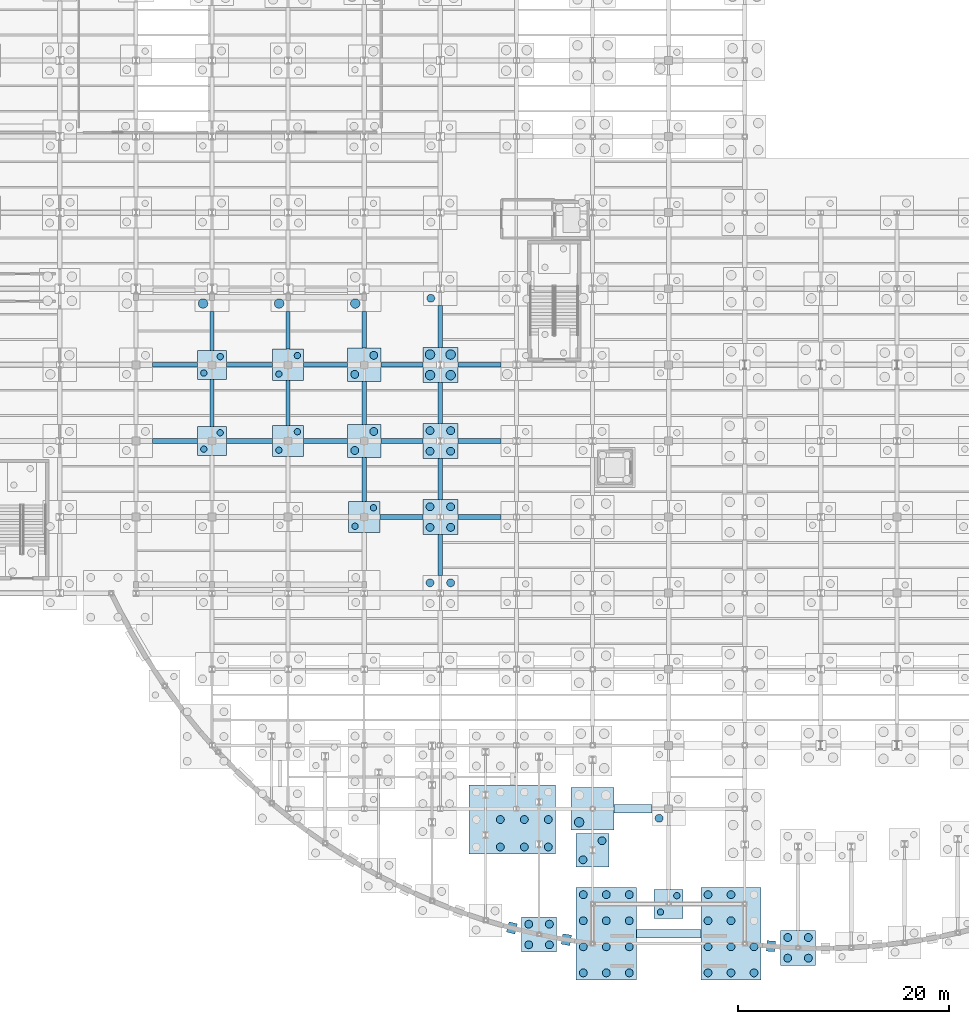
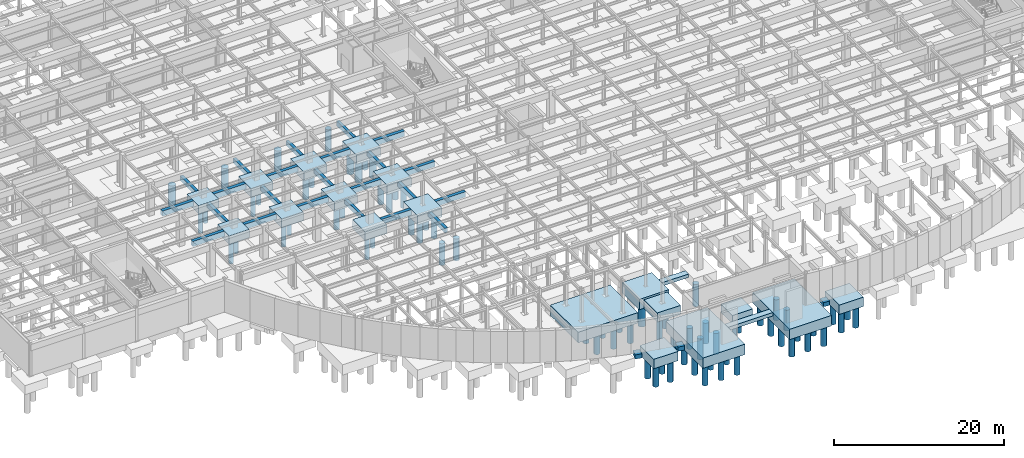
# One storey, part 3 of 64: 74 piles, 46 footings.
"""IFC4 building model written with IfcOpenShell, lengths in metres."""

from ifc_helpers import new_model, si_unit, direction, frame, origin, origin_2d, place, context, subcontext, project, spatial, rectangle, circle, extrude, material, material_profile, profile_set, type_object, element, save


model = new_model("IFC4")

# Units and contexts
model_context = context("Model", 3, precision=1e-05, world=origin(), true_north=direction((0.0, 1.0)))
body_context = subcontext(model_context, "Body", "Model", "MODEL_VIEW")
ifc_project = project(units=[si_unit("LENGTHUNIT", "METRE"), si_unit("AREAUNIT", "SQUARE_METRE"), si_unit("VOLUMEUNIT", "CUBIC_METRE"), si_unit("PLANEANGLEUNIT", "RADIAN"), si_unit("MASSUNIT", "GRAM", prefix="KILO")], contexts=[model_context])

# Site, building, storey
site_placement = place(None, origin())
site = spatial("IfcSite", under=ifc_project, at=site_placement, CompositionType="ELEMENT")
building_placement = place(site_placement, origin())
building = spatial("IfcBuilding", under=site, at=building_placement, Name="Solvadek Multi-Sports Hall", CompositionType="ELEMENT")
storey_placement = place(building_placement, frame((0.0, 0.0, -4.800048828125)))
storey = spatial("IfcBuildingStorey", under=building, at=storey_placement, Name="B1", CompositionType="ELEMENT", Elevation=-4.800048828125)

# Footings
ifc_material_1 = material(Name="Concrete M40", Category="concrete")
footing_type_1 = type_object("IfcFootingType", Name="STR-CAP-275X275X120", PredefinedType="PILE_CAP", material=ifc_material_1)
for number, where, z_axis, x_axis, name in (
    (1, (79.199951171875, -9.0, -1.19970703125), (0.0, 0.0, 1.0), (1.0, 0.0, 0.0), "Pile Cap PC-02 #10"),
    (2, (36.0, 34.800048828125, -1.19970703125), (0.0, 0.0, 1.0), (1.0, 0.0, 0.0), "Pile Cap PC-02 #115"),
    (3, (36.0, 42.0, -1.19970703125), (0.0, 0.0, 1.0), (1.0, 0.0, 0.0), "Pile Cap PC-02 #145"),
):
    element("IfcFooting", number, at=place(storey_placement, frame(where, z_axis=z_axis, x_axis=x_axis)), inside=storey, type_object=footing_type_1, Name=name, PredefinedType="PILE_CAP", context=body_context, shape_type="SweptSolid", body=[
        extrude(rectangle(XDim=2.75, YDim=2.75, at=origin_2d()), origin(), (0.0, 0.0, 1.0), 1.199951171875),
    ])
footing_type_2 = type_object("IfcFootingType", Name="STR-CAP-295X295X125", PredefinedType="PILE_CAP", material=ifc_material_1)
for number, where, z_axis, x_axis, name in (
    (4, (50.39990234375, 27.60009765625, -1.25), (0.0, 0.0, 1.0), (1.0, 0.0, 0.0), "Pile Cap PC-14 #95"),
    (5, (43.199951171875, 34.800048828125, -1.25), (0.0, 0.0, 1.0), (1.0, 0.0, 0.0), "Pile Cap PC-14 #116"),
    (6, (43.199951171875, 42.0, -1.25), (0.0, 0.0, 1.0), (1.0, 0.0, 0.0), "Pile Cap PC-14 #146"),
):
    element("IfcFooting", number, at=place(storey_placement, frame(where, z_axis=z_axis, x_axis=x_axis)), inside=storey, type_object=footing_type_2, Name=name, PredefinedType="PILE_CAP", context=body_context, shape_type="SweptSolid", body=[
        extrude(rectangle(XDim=2.949951171875, YDim=2.949951171875, at=origin_2d()), origin(), (0.0, 0.0, 1.0), 1.25),
    ])
footing_type_3 = type_object("IfcFootingType", Name="STR-CAP-315X315X130", PredefinedType="PILE_CAP", material=ifc_material_1)
for number, where, z_axis, x_axis, name in (
    (7, (72.0, -3.928955078125, -1.2998046875), (0.0, 0.0, 1.0), (1.0, 0.0, 0.0), "Pile Cap PC-15 #14"),
    (8, (50.39990234375, 34.800048828125, -1.2998046875), (0.0, 0.0, 1.0), (1.0, 0.0, 0.0), "Pile Cap PC-15 #117"),
    (9, (50.39990234375, 42.0, -1.2998046875), (0.0, 0.0, 1.0), (1.0, 0.0, 0.0), "Pile Cap PC-15 #147"),
):
    element("IfcFooting", number, at=place(storey_placement, frame(where, z_axis=z_axis, x_axis=x_axis)), inside=storey, type_object=footing_type_3, Name=name, PredefinedType="PILE_CAP", context=body_context, shape_type="SweptSolid", body=[
        extrude(rectangle(XDim=3.14990234375, YDim=3.14990234375, at=origin_2d()), origin(), (0.0, 0.0, 1.0), 1.300048828125),
    ])
footing_type_4 = type_object("IfcFootingType", Name="STR-CAP-330X330X135", PredefinedType="PILE_CAP", material=ifc_material_1)
for number, where, z_axis, x_axis, name in (
    (10, (91.43994140625, -13.159912109375, -1.35009765625), (0.0, 0.0, 1.0), (1.0, 0.0, 0.0), "Pile Cap PC-04 #3"),
    (11, (66.939453125, -11.893798828125, -1.35009765625), (0.0, 0.0, 1.0), (1.0, 0.0, 0.0), "Pile Cap PC-04 #6"),
    (12, (57.60009765625, 27.60009765625, -1.35009765625), (0.0, 0.0, 1.0), (1.0, 0.0, 0.0), "Pile Cap PC-04 #90"),
    (13, (57.60009765625, 34.800048828125, -1.35009765625), (0.0, 0.0, 1.0), (1.0, 0.0, 0.0), "Pile Cap PC-04 #111"),
    (14, (57.60009765625, 42.0, -1.35009765625), (0.0, 0.0, 1.0), (1.0, 0.0, 0.0), "Pile Cap PC-04 #141"),
):
    element("IfcFooting", number, at=place(storey_placement, frame(where, z_axis=z_axis, x_axis=x_axis)), inside=storey, type_object=footing_type_4, Name=name, PredefinedType="PILE_CAP", context=body_context, shape_type="SweptSolid", body=[
        extrude(rectangle(XDim=3.300048828125, YDim=3.300048828125, at=origin_2d()), origin(), (0.0, 0.0, 1.0), 1.35009765625),
    ])
footing_type_5 = type_object("IfcFootingType", Name="STR-CAP-405X405X150", PredefinedType="PILE_CAP", material=ifc_material_1)
footing_1_placement = place(storey_placement, frame((72.0, 0.0, -1.5), z_axis=(0.0, 0.0, 1.0), x_axis=(1.0, 0.0, 0.0)))
element("IfcFooting", 15, at=footing_1_placement, inside=storey, type_object=footing_type_5, Name="Pile Cap PC-17 #26", PredefinedType="PILE_CAP", context=body_context, shape_type="SweptSolid", body=[
    extrude(rectangle(XDim=4.050048828125, YDim=4.050048828125, at=origin_2d()), origin(), (0.0, 0.0, 1.0), 1.5),
])
footing_type_6 = type_object("IfcFootingType", Name="STR-CAP-CMB-816X653", PredefinedType="PILE_CAP", material=ifc_material_1)
footing_2_placement = place(storey_placement, frame((64.4091796875, -1.021728515625, -1.5), z_axis=(0.0, 0.0, 1.0), x_axis=(1.0, 0.0, 0.0)))
element("IfcFooting", 16, at=footing_2_placement, inside=storey, type_object=footing_type_6, Name="Pile Cap PC-R18 #18", PredefinedType="PILE_CAP", context=body_context, shape_type="SweptSolid", body=[
    extrude(rectangle(XDim=8.159912109375, YDim=6.530029296875, at=origin_2d()), origin(), (0.0, 0.0, 1.0), 1.5),
])
footing_type_7 = type_object("IfcFootingType", Name="STR-CAP-CMB-875X570", PredefinedType="PILE_CAP", material=ifc_material_1)
for number, where, z_axis, x_axis, name in (
    (17, (73.300048828125, -11.824951171875, -1.5), (0.0, 0.0, 1.0), (0.0, 1.0, 0.0), "Pile Cap PC-R01 #1"),
    (18, (85.10009765625, -11.824951171875, -1.5), (0.0, 0.0, 1.0), (0.0, 1.0, 0.0), "Pile Cap PC-R01 #2"),
):
    element("IfcFooting", number, at=place(storey_placement, frame(where, z_axis=z_axis, x_axis=x_axis)), inside=storey, type_object=footing_type_7, Name=name, PredefinedType="PILE_CAP", context=body_context, shape_type="SweptSolid", body=[
        extrude(rectangle(XDim=8.75, YDim=5.699951171875, at=origin_2d()), origin(), (0.0, 0.0, 1.0), 1.5),
    ])
footing_type_8 = type_object("IfcFootingType", Name="STR-FTB-400X650", PredefinedType="FOOTING_BEAM", material=ifc_material_1)
footing_3_placement = place(storey_placement, frame((36.0, 38.39990234375, -0.64990234375), z_axis=(0.0, 0.0, 1.0), x_axis=(0.0, 1.0, 0.0)))
element("IfcFooting", 19, at=footing_3_placement, inside=storey, type_object=footing_type_8, Name="Foundation Beam FB-01 #264", PredefinedType="FOOTING_BEAM", context=body_context, shape_type="SweptSolid", body=[
    extrude(rectangle(XDim=4.449951171875, YDim=0.39990234375, at=origin_2d()), origin(), (0.0, 0.0, 1.0), 0.64990234375),
])
footing_4_placement = place(storey_placement, frame((36.0, 45.21240234375, -0.64990234375), z_axis=(0.0, 0.0, 1.0), x_axis=(0.0, 1.0, 0.0)))
element("IfcFooting", 20, at=footing_4_placement, inside=storey, type_object=footing_type_8, Name="Foundation Beam FB-01 #265", PredefinedType="FOOTING_BEAM", context=body_context, shape_type="SweptSolid", body=[
    extrude(rectangle(XDim=3.675048828125, YDim=0.39990234375, at=origin_2d()), origin(), (0.0, 0.0, 1.0), 0.64990234375),
])
footing_5_placement = place(storey_placement, frame((43.199951171875, 38.39990234375, -0.64990234375), z_axis=(0.0, 0.0, 1.0), x_axis=(0.0, 1.0, 0.0)))
element("IfcFooting", 21, at=footing_5_placement, inside=storey, type_object=footing_type_8, Name="Foundation Beam FB-01 #278", PredefinedType="FOOTING_BEAM", context=body_context, shape_type="SweptSolid", body=[
    extrude(rectangle(XDim=4.25, YDim=0.39990234375, at=origin_2d()), origin(), (0.0, 0.0, 1.0), 0.64990234375),
])
footing_6_placement = place(storey_placement, frame((43.199951171875, 45.262451171875, -0.64990234375), z_axis=(0.0, 0.0, 1.0), x_axis=(0.0, 1.0, 0.0)))
element("IfcFooting", 22, at=footing_6_placement, inside=storey, type_object=footing_type_8, Name="Foundation Beam FB-01 #279", PredefinedType="FOOTING_BEAM", context=body_context, shape_type="SweptSolid", body=[
    extrude(rectangle(XDim=3.574951171875, YDim=0.39990234375, at=origin_2d()), origin(), (0.0, 0.0, 1.0), 0.64990234375),
])
footing_7_placement = place(storey_placement, frame((50.39990234375, 31.14990234375, -0.64990234375), z_axis=(0.0, 0.0, 1.0), x_axis=(0.0, 1.0, 0.0)))
element("IfcFooting", 23, at=footing_7_placement, inside=storey, type_object=footing_type_8, Name="Foundation Beam FB-01 #291", PredefinedType="FOOTING_BEAM", context=body_context, shape_type="SweptSolid", body=[
    extrude(rectangle(XDim=4.14990234375, YDim=0.39990234375, at=origin_2d()), origin(), (0.0, 0.0, 1.0), 0.64990234375),
])
footing_8_placement = place(storey_placement, frame((50.39990234375, 38.39990234375, -0.64990234375), z_axis=(0.0, 0.0, 1.0), x_axis=(0.0, 1.0, 0.0)))
element("IfcFooting", 24, at=footing_8_placement, inside=storey, type_object=footing_type_8, Name="Foundation Beam FB-01 #292", PredefinedType="FOOTING_BEAM", context=body_context, shape_type="SweptSolid", body=[
    extrude(rectangle(XDim=4.050048828125, YDim=0.39990234375, at=origin_2d()), origin(), (0.0, 0.0, 1.0), 0.64990234375),
])
footing_9_placement = place(storey_placement, frame((50.39990234375, 45.3125, -0.64990234375), z_axis=(0.0, 0.0, 1.0), x_axis=(0.0, 1.0, 0.0)))
element("IfcFooting", 25, at=footing_9_placement, inside=storey, type_object=footing_type_8, Name="Foundation Beam FB-01 #293", PredefinedType="FOOTING_BEAM", context=body_context, shape_type="SweptSolid", body=[
    extrude(rectangle(XDim=3.47509765625, YDim=0.39990234375, at=origin_2d()), origin(), (0.0, 0.0, 1.0), 0.64990234375),
])
for number, where, z_axis, x_axis, name in (
    (26, (57.60009765625, 24.0, -0.64990234375), (0.0, 0.0, 1.0), (0.0, 1.0, 0.0), "Foundation Beam FB-01 #303"),
    (27, (57.60009765625, 31.199951171875, -0.64990234375), (0.0, 0.0, 1.0), (0.0, 1.0, 0.0), "Foundation Beam FB-01 #304"),
    (28, (57.60009765625, 38.39990234375, -0.64990234375), (0.0, 0.0, 1.0), (0.0, 1.0, 0.0), "Foundation Beam FB-01 #305"),
):
    element("IfcFooting", number, at=place(storey_placement, frame(where, z_axis=z_axis, x_axis=x_axis)), inside=storey, type_object=footing_type_8, Name=name, PredefinedType="FOOTING_BEAM", context=body_context, shape_type="SweptSolid", body=[
        extrude(rectangle(XDim=3.89990234375, YDim=0.39990234375, at=origin_2d()), origin(), (0.0, 0.0, 1.0), 0.64990234375),
    ])
footing_10_placement = place(storey_placement, frame((57.60009765625, 45.637451171875, -0.64990234375), z_axis=(0.0, 0.0, 1.0), x_axis=(0.0, 1.0, 0.0)))
element("IfcFooting", 29, at=footing_10_placement, inside=storey, type_object=footing_type_8, Name="Foundation Beam FB-01 #306", PredefinedType="FOOTING_BEAM", context=body_context, shape_type="SweptSolid", body=[
    extrude(rectangle(XDim=3.97509765625, YDim=0.39990234375, at=origin_2d()), origin(), (0.0, 0.0, 1.0), 0.64990234375),
])
footing_type_9 = type_object("IfcFootingType", Name="STR-FTB-450X750", PredefinedType="FOOTING_BEAM", material=ifc_material_1)
for number, where, z_axis, x_axis, name in (
    (30, (53.91259765625, 27.60009765625, -0.75), (0.0, 0.0, 1.0), (1.0, 0.0, 0.0), "Foundation Beam FB-02 #46"),
    (31, (61.28759765625, 27.60009765625, -0.75), (0.0, 0.0, 1.0), (1.0, 0.0, 0.0), "Foundation Beam FB-02 #47"),
):
    element("IfcFooting", number, at=place(storey_placement, frame(where, z_axis=z_axis, x_axis=x_axis)), inside=storey, type_object=footing_type_9, Name=name, PredefinedType="FOOTING_BEAM", context=body_context, shape_type="SweptSolid", body=[
        extrude(rectangle(XDim=4.074951171875, YDim=0.449951171875, at=origin_2d()), origin(), (0.0, 0.0, 1.0), 0.75),
    ])
footing_11_placement = place(storey_placement, frame((32.5, 34.800048828125, -0.75), z_axis=(0.0, 0.0, 1.0), x_axis=(1.0, 0.0, 0.0)))
element("IfcFooting", 32, at=footing_11_placement, inside=storey, type_object=footing_type_9, Name="Foundation Beam FB-02 #62", PredefinedType="FOOTING_BEAM", context=body_context, shape_type="SweptSolid", body=[
    extrude(rectangle(XDim=4.25, YDim=0.449951171875, at=origin_2d()), origin(), (0.0, 0.0, 1.0), 0.75),
])
footing_12_placement = place(storey_placement, frame((39.550048828125, 34.800048828125, -0.75), z_axis=(0.0, 0.0, 1.0), x_axis=(1.0, 0.0, 0.0)))
element("IfcFooting", 33, at=footing_12_placement, inside=storey, type_object=footing_type_9, Name="Foundation Beam FB-02 #63", PredefinedType="FOOTING_BEAM", context=body_context, shape_type="SweptSolid", body=[
    extrude(rectangle(XDim=4.35009765625, YDim=0.449951171875, at=origin_2d()), origin(), (0.0, 0.0, 1.0), 0.75),
])
footing_13_placement = place(storey_placement, frame((46.75, 34.800048828125, -0.75), z_axis=(0.0, 0.0, 1.0), x_axis=(1.0, 0.0, 0.0)))
element("IfcFooting", 34, at=footing_13_placement, inside=storey, type_object=footing_type_9, Name="Foundation Beam FB-02 #64", PredefinedType="FOOTING_BEAM", context=body_context, shape_type="SweptSolid", body=[
    extrude(rectangle(XDim=4.14990234375, YDim=0.449951171875, at=origin_2d()), origin(), (0.0, 0.0, 1.0), 0.75),
])
footing_14_placement = place(storey_placement, frame((53.96240234375, 34.800048828125, -0.75), z_axis=(0.0, 0.0, 1.0), x_axis=(1.0, 0.0, 0.0)))
element("IfcFooting", 35, at=footing_14_placement, inside=storey, type_object=footing_type_9, Name="Foundation Beam FB-02 #65", PredefinedType="FOOTING_BEAM", context=body_context, shape_type="SweptSolid", body=[
    extrude(rectangle(XDim=3.97509765625, YDim=0.449951171875, at=origin_2d()), origin(), (0.0, 0.0, 1.0), 0.75),
])
footing_15_placement = place(storey_placement, frame((61.28759765625, 34.800048828125, -0.75), z_axis=(0.0, 0.0, 1.0), x_axis=(1.0, 0.0, 0.0)))
element("IfcFooting", 36, at=footing_15_placement, inside=storey, type_object=footing_type_9, Name="Foundation Beam FB-02 #66", PredefinedType="FOOTING_BEAM", context=body_context, shape_type="SweptSolid", body=[
    extrude(rectangle(XDim=4.074951171875, YDim=0.449951171875, at=origin_2d()), origin(), (0.0, 0.0, 1.0), 0.75),
])
footing_16_placement = place(storey_placement, frame((32.5, 42.0, -0.75), z_axis=(0.0, 0.0, 1.0), x_axis=(1.0, 0.0, 0.0)))
element("IfcFooting", 37, at=footing_16_placement, inside=storey, type_object=footing_type_9, Name="Foundation Beam FB-02 #81", PredefinedType="FOOTING_BEAM", context=body_context, shape_type="SweptSolid", body=[
    extrude(rectangle(XDim=4.25, YDim=0.449951171875, at=origin_2d()), origin(), (0.0, 0.0, 1.0), 0.75),
])
footing_17_placement = place(storey_placement, frame((39.550048828125, 42.0, -0.75), z_axis=(0.0, 0.0, 1.0), x_axis=(1.0, 0.0, 0.0)))
element("IfcFooting", 38, at=footing_17_placement, inside=storey, type_object=footing_type_9, Name="Foundation Beam FB-02 #82", PredefinedType="FOOTING_BEAM", context=body_context, shape_type="SweptSolid", body=[
    extrude(rectangle(XDim=4.35009765625, YDim=0.449951171875, at=origin_2d()), origin(), (0.0, 0.0, 1.0), 0.75),
])
footing_18_placement = place(storey_placement, frame((46.75, 42.0, -0.75), z_axis=(0.0, 0.0, 1.0), x_axis=(1.0, 0.0, 0.0)))
element("IfcFooting", 39, at=footing_18_placement, inside=storey, type_object=footing_type_9, Name="Foundation Beam FB-02 #83", PredefinedType="FOOTING_BEAM", context=body_context, shape_type="SweptSolid", body=[
    extrude(rectangle(XDim=4.14990234375, YDim=0.449951171875, at=origin_2d()), origin(), (0.0, 0.0, 1.0), 0.75),
])
footing_19_placement = place(storey_placement, frame((53.96240234375, 42.0, -0.75), z_axis=(0.0, 0.0, 1.0), x_axis=(1.0, 0.0, 0.0)))
element("IfcFooting", 40, at=footing_19_placement, inside=storey, type_object=footing_type_9, Name="Foundation Beam FB-02 #84", PredefinedType="FOOTING_BEAM", context=body_context, shape_type="SweptSolid", body=[
    extrude(rectangle(XDim=3.97509765625, YDim=0.449951171875, at=origin_2d()), origin(), (0.0, 0.0, 1.0), 0.75),
])
footing_20_placement = place(storey_placement, frame((61.28759765625, 42.0, -0.75), z_axis=(0.0, 0.0, 1.0), x_axis=(1.0, 0.0, 0.0)))
element("IfcFooting", 41, at=footing_20_placement, inside=storey, type_object=footing_type_9, Name="Foundation Beam FB-02 #85", PredefinedType="FOOTING_BEAM", context=body_context, shape_type="SweptSolid", body=[
    extrude(rectangle(XDim=4.074951171875, YDim=0.449951171875, at=origin_2d()), origin(), (0.0, 0.0, 1.0), 0.75),
])

# Piles
ifc_material_2 = material(Name="Concrete M35", Category="concrete")
ifc_material_profile_1 = material_profile(ifc_material_2, circle(Radius=0.300048828125, at=origin_2d()), Name="BORED PILE D600")
ifc_profile_set_1 = profile_set([ifc_material_profile_1], Name="Concrete M35")
pile_type_1 = type_object("IfcPileType", Name="STR-PILE-D600", PredefinedType="BORED", material=ifc_profile_set_1)
for number, where, z_axis, x_axis, name in (
    (42, (78.425048828125, -9.77490234375, -1.099853515625), (0.0, 0.0, -1.0), (1.0, 0.0, 0.0), "Bored Pile PL-600 #49"),
    (43, (79.97509765625, -8.22509765625, -1.099853515625), (0.0, 0.0, -1.0), (1.0, 0.0, 0.0), "Bored Pile PL-600 #50"),
):
    element("IfcPile", number, at=place(storey_placement, frame(where, z_axis=z_axis, x_axis=x_axis)), inside=storey, type_object=pile_type_1, Name=name, PredefinedType="BORED", context=body_context, shape_type="SweptSolid", body=[
        extrude(circle(Radius=0.300048828125, at=origin_2d()), origin(), (0.0, 0.0, 1.0), 3.300048828125),
    ])
for number, where, z_axis, x_axis, name in (
    (44, (49.52490234375, 26.72509765625, -1.14990234375), (0.0, 0.0, -1.0), (1.0, 0.0, 0.0), "Bored Pile PL-600 #340"),
    (45, (51.27490234375, 28.47509765625, -1.14990234375), (0.0, 0.0, -1.0), (1.0, 0.0, 0.0), "Bored Pile PL-600 #341"),
):
    element("IfcPile", number, at=place(storey_placement, frame(where, z_axis=z_axis, x_axis=x_axis)), inside=storey, type_object=pile_type_1, Name=name, PredefinedType="BORED", context=body_context, shape_type="SweptSolid", body=[
        extrude(circle(Radius=0.300048828125, at=origin_2d()), origin(), (0.0, 0.0, 1.0), 3.25),
    ])
for number, where, z_axis, x_axis, name in (
    (46, (35.22509765625, 34.02490234375, -1.099853515625), (0.0, 0.0, -1.0), (1.0, 0.0, 0.0), "Bored Pile PL-600 #388"),
    (47, (36.77490234375, 35.574951171875, -1.099853515625), (0.0, 0.0, -1.0), (1.0, 0.0, 0.0), "Bored Pile PL-600 #389"),
):
    element("IfcPile", number, at=place(storey_placement, frame(where, z_axis=z_axis, x_axis=x_axis)), inside=storey, type_object=pile_type_1, Name=name, PredefinedType="BORED", context=body_context, shape_type="SweptSolid", body=[
        extrude(circle(Radius=0.300048828125, at=origin_2d()), origin(), (0.0, 0.0, 1.0), 3.300048828125),
    ])
for number, where, z_axis, x_axis, name in (
    (48, (42.324951171875, 33.925048828125, -1.14990234375), (0.0, 0.0, -1.0), (1.0, 0.0, 0.0), "Bored Pile PL-600 #390"),
    (49, (44.074951171875, 35.675048828125, -1.14990234375), (0.0, 0.0, -1.0), (1.0, 0.0, 0.0), "Bored Pile PL-600 #391"),
):
    element("IfcPile", number, at=place(storey_placement, frame(where, z_axis=z_axis, x_axis=x_axis)), inside=storey, type_object=pile_type_1, Name=name, PredefinedType="BORED", context=body_context, shape_type="SweptSolid", body=[
        extrude(circle(Radius=0.300048828125, at=origin_2d()), origin(), (0.0, 0.0, 1.0), 3.25),
    ])
for number, where, z_axis, x_axis, name in (
    (50, (35.22509765625, 41.22509765625, -1.099853515625), (0.0, 0.0, -1.0), (1.0, 0.0, 0.0), "Bored Pile PL-600 #476"),
    (51, (36.77490234375, 42.77490234375, -1.099853515625), (0.0, 0.0, -1.0), (1.0, 0.0, 0.0), "Bored Pile PL-600 #477"),
):
    element("IfcPile", number, at=place(storey_placement, frame(where, z_axis=z_axis, x_axis=x_axis)), inside=storey, type_object=pile_type_1, Name=name, PredefinedType="BORED", context=body_context, shape_type="SweptSolid", body=[
        extrude(circle(Radius=0.300048828125, at=origin_2d()), origin(), (0.0, 0.0, 1.0), 3.300048828125),
    ])
for number, where, z_axis, x_axis, name in (
    (52, (42.324951171875, 41.125, -1.14990234375), (0.0, 0.0, -1.0), (1.0, 0.0, 0.0), "Bored Pile PL-600 #478"),
    (53, (44.074951171875, 42.875, -1.14990234375), (0.0, 0.0, -1.0), (1.0, 0.0, 0.0), "Bored Pile PL-600 #479"),
):
    element("IfcPile", number, at=place(storey_placement, frame(where, z_axis=z_axis, x_axis=x_axis)), inside=storey, type_object=pile_type_1, Name=name, PredefinedType="BORED", context=body_context, shape_type="SweptSolid", body=[
        extrude(circle(Radius=0.300048828125, at=origin_2d()), origin(), (0.0, 0.0, 1.0), 3.25),
    ])
ifc_material_profile_2 = material_profile(ifc_material_2, circle(Radius=0.375, at=origin_2d()), Name="BORED PILE D750")
ifc_profile_set_2 = profile_set([ifc_material_profile_2], Name="Concrete M35")
pile_type_2 = type_object("IfcPileType", Name="STR-PILE-D750", PredefinedType="BORED", material=ifc_profile_set_2)
for number, where, z_axis, x_axis, name in (
    (54, (71.125, -15.52490234375, -1.39990234375), (0.0, 0.0, -1.0), (1.0, 0.0, 0.0), "Bored Pile PL-750 #1"),
    (55, (71.125, -13.058349609375, -1.39990234375), (0.0, 0.0, -1.0), (1.0, 0.0, 0.0), "Bored Pile PL-750 #2"),
    (56, (71.125, -10.591796875, -1.39990234375), (0.0, 0.0, -1.0), (1.0, 0.0, 0.0), "Bored Pile PL-750 #3"),
    (57, (71.125, -8.125, -1.39990234375), (0.0, 0.0, -1.0), (1.0, 0.0, 0.0), "Bored Pile PL-750 #4"),
    (58, (73.300048828125, -15.52490234375, -1.39990234375), (0.0, 0.0, -1.0), (1.0, 0.0, 0.0), "Bored Pile PL-750 #5"),
    (59, (73.300048828125, -13.058349609375, -1.39990234375), (0.0, 0.0, -1.0), (1.0, 0.0, 0.0), "Bored Pile PL-750 #6"),
    (60, (73.300048828125, -10.591796875, -1.39990234375), (0.0, 0.0, -1.0), (1.0, 0.0, 0.0), "Bored Pile PL-750 #7"),
    (61, (73.300048828125, -8.125, -1.39990234375), (0.0, 0.0, -1.0), (1.0, 0.0, 0.0), "Bored Pile PL-750 #8"),
    (62, (75.47509765625, -15.52490234375, -1.39990234375), (0.0, 0.0, -1.0), (1.0, 0.0, 0.0), "Bored Pile PL-750 #9"),
    (63, (75.47509765625, -13.058349609375, -1.39990234375), (0.0, 0.0, -1.0), (1.0, 0.0, 0.0), "Bored Pile PL-750 #10"),
    (64, (75.47509765625, -10.591796875, -1.39990234375), (0.0, 0.0, -1.0), (1.0, 0.0, 0.0), "Bored Pile PL-750 #11"),
    (65, (75.47509765625, -8.125, -1.39990234375), (0.0, 0.0, -1.0), (1.0, 0.0, 0.0), "Bored Pile PL-750 #12"),
    (66, (82.925048828125, -15.52490234375, -1.39990234375), (0.0, 0.0, -1.0), (1.0, 0.0, 0.0), "Bored Pile PL-750 #13"),
    (67, (82.925048828125, -13.058349609375, -1.39990234375), (0.0, 0.0, -1.0), (1.0, 0.0, 0.0), "Bored Pile PL-750 #14"),
    (68, (82.925048828125, -10.591796875, -1.39990234375), (0.0, 0.0, -1.0), (1.0, 0.0, 0.0), "Bored Pile PL-750 #15"),
    (69, (82.925048828125, -8.125, -1.39990234375), (0.0, 0.0, -1.0), (1.0, 0.0, 0.0), "Bored Pile PL-750 #16"),
    (70, (85.10009765625, -15.52490234375, -1.39990234375), (0.0, 0.0, -1.0), (1.0, 0.0, 0.0), "Bored Pile PL-750 #17"),
    (71, (85.10009765625, -13.058349609375, -1.39990234375), (0.0, 0.0, -1.0), (1.0, 0.0, 0.0), "Bored Pile PL-750 #18"),
    (72, (85.10009765625, -10.591796875, -1.39990234375), (0.0, 0.0, -1.0), (1.0, 0.0, 0.0), "Bored Pile PL-750 #19"),
    (73, (85.10009765625, -8.125, -1.39990234375), (0.0, 0.0, -1.0), (1.0, 0.0, 0.0), "Bored Pile PL-750 #20"),
    (74, (87.27490234375, -15.52490234375, -1.39990234375), (0.0, 0.0, -1.0), (1.0, 0.0, 0.0), "Bored Pile PL-750 #21"),
    (75, (87.27490234375, -13.058349609375, -1.39990234375), (0.0, 0.0, -1.0), (1.0, 0.0, 0.0), "Bored Pile PL-750 #22"),
):
    element("IfcPile", number, at=place(storey_placement, frame(where, z_axis=z_axis, x_axis=x_axis)), inside=storey, type_object=pile_type_2, Name=name, PredefinedType="BORED", context=body_context, shape_type="SweptSolid", body=[
        extrude(circle(Radius=0.375, at=origin_2d()), origin(), (0.0, 0.0, 1.0), 3.0),
    ])
for number, where, z_axis, x_axis, name in (
    (76, (90.465087890625, -14.135009765625, -1.25), (0.0, 0.0, -1.0), (1.0, 0.0, 0.0), "Bored Pile PL-750 #25"),
    (77, (90.465087890625, -12.184814453125, -1.25), (0.0, 0.0, -1.0), (1.0, 0.0, 0.0), "Bored Pile PL-750 #26"),
    (78, (92.4150390625, -14.135009765625, -1.25), (0.0, 0.0, -1.0), (1.0, 0.0, 0.0), "Bored Pile PL-750 #27"),
    (79, (92.4150390625, -12.184814453125, -1.25), (0.0, 0.0, -1.0), (1.0, 0.0, 0.0), "Bored Pile PL-750 #28"),
    (80, (65.96435546875, -12.868896484375, -1.25), (0.0, 0.0, -1.0), (1.0, 0.0, 0.0), "Bored Pile PL-750 #33"),
    (81, (65.96435546875, -10.9189453125, -1.25), (0.0, 0.0, -1.0), (1.0, 0.0, 0.0), "Bored Pile PL-750 #34"),
    (82, (67.914306640625, -12.868896484375, -1.25), (0.0, 0.0, -1.0), (1.0, 0.0, 0.0), "Bored Pile PL-750 #35"),
    (83, (67.914306640625, -10.9189453125, -1.25), (0.0, 0.0, -1.0), (1.0, 0.0, 0.0), "Bored Pile PL-750 #36"),
):
    element("IfcPile", number, at=place(storey_placement, frame(where, z_axis=z_axis, x_axis=x_axis)), inside=storey, type_object=pile_type_2, Name=name, PredefinedType="BORED", context=body_context, shape_type="SweptSolid", body=[
        extrude(circle(Radius=0.375, at=origin_2d()), origin(), (0.0, 0.0, 1.0), 3.14990234375),
    ])
for number, where, z_axis, x_axis, name in (
    (84, (71.10009765625, -4.828857421875, -1.199951171875), (0.0, 0.0, -1.0), (1.0, 0.0, 0.0), "Bored Pile PL-750 #59"),
    (85, (72.89990234375, -3.02880859375, -1.199951171875), (0.0, 0.0, -1.0), (1.0, 0.0, 0.0), "Bored Pile PL-750 #60"),
):
    element("IfcPile", number, at=place(storey_placement, frame(where, z_axis=z_axis, x_axis=x_axis)), inside=storey, type_object=pile_type_2, Name=name, PredefinedType="BORED", context=body_context, shape_type="SweptSolid", body=[
        extrude(circle(Radius=0.375, at=origin_2d()), origin(), (0.0, 0.0, 1.0), 3.199951171875),
    ])
for number, where, z_axis, x_axis, name in (
    (86, (63.274169921875, -3.61181640625, -1.39990234375), (0.0, 0.0, -1.0), (1.0, 0.0, 0.0), "Bored Pile PL-750 #76"),
    (87, (63.274169921875, -1.021728515625, -1.39990234375), (0.0, 0.0, -1.0), (1.0, 0.0, 0.0), "Bored Pile PL-750 #77"),
    (88, (65.544189453125, -3.61181640625, -1.39990234375), (0.0, 0.0, -1.0), (1.0, 0.0, 0.0), "Bored Pile PL-750 #79"),
    (89, (65.544189453125, -1.021728515625, -1.39990234375), (0.0, 0.0, -1.0), (1.0, 0.0, 0.0), "Bored Pile PL-750 #80"),
    (90, (67.814208984375, -3.61181640625, -1.39990234375), (0.0, 0.0, -1.0), (1.0, 0.0, 0.0), "Bored Pile PL-750 #82"),
    (91, (67.814208984375, -1.021728515625, -1.39990234375), (0.0, 0.0, -1.0), (1.0, 0.0, 0.0), "Bored Pile PL-750 #83"),
):
    element("IfcPile", number, at=place(storey_placement, frame(where, z_axis=z_axis, x_axis=x_axis)), inside=storey, type_object=pile_type_2, Name=name, PredefinedType="BORED", context=body_context, shape_type="SweptSolid", body=[
        extrude(circle(Radius=0.375, at=origin_2d()), origin(), (0.0, 0.0, 1.0), 3.0),
    ])
pile_1_placement = place(storey_placement, frame((78.300048828125, -0.89990234375, -1.199951171875), z_axis=(0.0, 0.0, -1.0), x_axis=(1.0, 0.0, 0.0)))
element("IfcPile", 92, at=pile_1_placement, inside=storey, type_object=pile_type_2, Name="Bored Pile PL-750 #144", PredefinedType="BORED", context=body_context, shape_type="SweptSolid", body=[
    extrude(circle(Radius=0.375, at=origin_2d()), origin(), (0.0, 0.0, 1.0), 3.199951171875),
])
for number, where, z_axis, x_axis, name in (
    (93, (56.625, 21.375, -1.25), (0.0, 0.0, -1.0), (1.0, 0.0, 0.0), "Bored Pile PL-750 #283"),
    (94, (58.574951171875, 21.375, -1.25), (0.0, 0.0, -1.0), (1.0, 0.0, 0.0), "Bored Pile PL-750 #285"),
    (95, (56.625, 26.625, -1.25), (0.0, 0.0, -1.0), (1.0, 0.0, 0.0), "Bored Pile PL-750 #328"),
    (96, (56.625, 28.574951171875, -1.25), (0.0, 0.0, -1.0), (1.0, 0.0, 0.0), "Bored Pile PL-750 #329"),
    (97, (58.574951171875, 26.625, -1.25), (0.0, 0.0, -1.0), (1.0, 0.0, 0.0), "Bored Pile PL-750 #330"),
    (98, (58.574951171875, 28.574951171875, -1.25), (0.0, 0.0, -1.0), (1.0, 0.0, 0.0), "Bored Pile PL-750 #331"),
    (99, (56.625, 33.824951171875, -1.25), (0.0, 0.0, -1.0), (1.0, 0.0, 0.0), "Bored Pile PL-750 #378"),
    (100, (56.625, 35.77490234375, -1.25), (0.0, 0.0, -1.0), (1.0, 0.0, 0.0), "Bored Pile PL-750 #379"),
    (101, (58.574951171875, 33.824951171875, -1.25), (0.0, 0.0, -1.0), (1.0, 0.0, 0.0), "Bored Pile PL-750 #380"),
    (102, (58.574951171875, 35.77490234375, -1.25), (0.0, 0.0, -1.0), (1.0, 0.0, 0.0), "Bored Pile PL-750 #381"),
):
    element("IfcPile", number, at=place(storey_placement, frame(where, z_axis=z_axis, x_axis=x_axis)), inside=storey, type_object=pile_type_2, Name=name, PredefinedType="BORED", context=body_context, shape_type="SweptSolid", body=[
        extrude(circle(Radius=0.375, at=origin_2d()), origin(), (0.0, 0.0, 1.0), 3.14990234375),
    ])
for number, where, z_axis, x_axis, name in (
    (103, (49.5, 33.89990234375, -1.199951171875), (0.0, 0.0, -1.0), (1.0, 0.0, 0.0), "Bored Pile PL-750 #392"),
    (104, (51.300048828125, 35.699951171875, -1.199951171875), (0.0, 0.0, -1.0), (1.0, 0.0, 0.0), "Bored Pile PL-750 #393"),
    (105, (49.5, 41.10009765625, -1.199951171875), (0.0, 0.0, -1.0), (1.0, 0.0, 0.0), "Bored Pile PL-750 #480"),
    (106, (51.300048828125, 42.89990234375, -1.199951171875), (0.0, 0.0, -1.0), (1.0, 0.0, 0.0), "Bored Pile PL-750 #481"),
    (107, (56.699951171875, 48.300048828125, -1.199951171875), (0.0, 0.0, -1.0), (1.0, 0.0, 0.0), "Bored Pile PL-750 #518"),
):
    element("IfcPile", number, at=place(storey_placement, frame(where, z_axis=z_axis, x_axis=x_axis)), inside=storey, type_object=pile_type_2, Name=name, PredefinedType="BORED", context=body_context, shape_type="SweptSolid", body=[
        extrude(circle(Radius=0.375, at=origin_2d()), origin(), (0.0, 0.0, 1.0), 3.199951171875),
    ])
ifc_material_profile_3 = material_profile(ifc_material_2, circle(Radius=0.449951171875, at=origin_2d()), Name="BORED PILE D900")
ifc_profile_set_3 = profile_set([ifc_material_profile_3], Name="Concrete M35")
pile_type_3 = type_object("IfcPileType", Name="STR-PILE-D900", PredefinedType="BORED", material=ifc_profile_set_3)
pile_2_placement = place(storey_placement, frame((70.72509765625, -1.27490234375, -1.39990234375), z_axis=(0.0, 0.0, -1.0), x_axis=(1.0, 0.0, 0.0)))
element("IfcPile", 108, at=pile_2_placement, inside=storey, type_object=pile_type_3, Name="Bored Pile PL-900 #133", PredefinedType="BORED", context=body_context, shape_type="SweptSolid", body=[
    extrude(circle(Radius=0.449951171875, at=origin_2d()), origin(), (0.0, 0.0, 1.0), 3.0),
])
for number, where, z_axis, x_axis, name in (
    (109, (56.625, 41.02490234375, -1.25), (0.0, 0.0, -1.0), (1.0, 0.0, 0.0), "Bored Pile PL-900 #466"),
    (110, (56.625, 42.97509765625, -1.25), (0.0, 0.0, -1.0), (1.0, 0.0, 0.0), "Bored Pile PL-900 #467"),
    (111, (58.574951171875, 41.02490234375, -1.25), (0.0, 0.0, -1.0), (1.0, 0.0, 0.0), "Bored Pile PL-900 #468"),
    (112, (58.574951171875, 42.97509765625, -1.25), (0.0, 0.0, -1.0), (1.0, 0.0, 0.0), "Bored Pile PL-900 #469"),
):
    element("IfcPile", number, at=place(storey_placement, frame(where, z_axis=z_axis, x_axis=x_axis)), inside=storey, type_object=pile_type_3, Name=name, PredefinedType="BORED", context=body_context, shape_type="SweptSolid", body=[
        extrude(circle(Radius=0.449951171875, at=origin_2d()), origin(), (0.0, 0.0, 1.0), 3.14990234375),
    ])
for number, where, z_axis, x_axis, name in (
    (113, (35.14990234375, 47.800048828125, -1.39990234375), (0.0, 0.0, -1.0), (1.0, 0.0, 0.0), "Bored Pile PL-900 #488"),
    (114, (42.35009765625, 47.800048828125, -1.39990234375), (0.0, 0.0, -1.0), (1.0, 0.0, 0.0), "Bored Pile PL-900 #490"),
    (115, (49.550048828125, 47.800048828125, -1.39990234375), (0.0, 0.0, -1.0), (1.0, 0.0, 0.0), "Bored Pile PL-900 #492"),
):
    element("IfcPile", number, at=place(storey_placement, frame(where, z_axis=z_axis, x_axis=x_axis)), inside=storey, type_object=pile_type_3, Name=name, PredefinedType="BORED", context=body_context, shape_type="SweptSolid", body=[
        extrude(circle(Radius=0.449951171875, at=origin_2d()), origin(), (0.0, 0.0, 1.0), 3.0),
    ])

# Footings
footing_type_10 = type_object("IfcFootingType", Name="STR-SFT-1000X600", PredefinedType="STRIP_FOOTING", material=ifc_material_1)
footing_21_placement = place(storey_placement, frame((64.37158203125, -11.2724609375, -0.60009765625), z_axis=(0.0, 0.0, 1.0), x_axis=(0.967179115616, -0.254095569259, 0.0)))
element("IfcFooting", 116, at=footing_21_placement, inside=storey, type_object=footing_type_10, Name="Perimeter Retaining Wall Strip Footing #439", PredefinedType="STRIP_FOOTING", context=body_context, shape_type="SweptSolid", body=[
    extrude(rectangle(XDim=0.822998046875, YDim=1.0, at=origin_2d()), origin(), (0.0, 0.0, 1.0), 0.60009765625),
])
footing_22_placement = place(storey_placement, frame((69.519775390625, -12.3828125, -0.60009765625), z_axis=(0.0, 0.0, 1.0), x_axis=(0.985908582005, -0.16728499015, 0.0)))
element("IfcFooting", 117, at=footing_22_placement, inside=storey, type_object=footing_type_10, Name="Perimeter Retaining Wall Strip Footing #440", PredefinedType="STRIP_FOOTING", context=body_context, shape_type="SweptSolid", body=[
    extrude(rectangle(XDim=0.83203125, YDim=1.0, at=origin_2d()), origin(), (0.0, 0.0, 1.0), 0.60009765625),
])
footing_23_placement = place(storey_placement, frame((88.8701171875, -13.00146484375, -0.60009765625), z_axis=(0.0, 0.0, 1.0), x_axis=(0.996764865922, -0.08037289384, 0.0)))
element("IfcFooting", 118, at=footing_23_placement, inside=storey, type_object=footing_type_10, Name="Perimeter Retaining Wall Strip Footing #441", PredefinedType="STRIP_FOOTING", context=body_context, shape_type="SweptSolid", body=[
    extrude(rectangle(XDim=0.802978515625, YDim=1.0, at=origin_2d()), origin(), (0.0, 0.0, 1.0), 0.60009765625),
])
footing_type_11 = type_object("IfcFootingType", Name="STR-SFT-800X500", PredefinedType="STRIP_FOOTING", material=ifc_material_1)
footing_24_placement = place(storey_placement, frame((79.199951171875, -11.824951171875, -0.5), z_axis=(0.0, 0.0, 1.0), x_axis=(1.0, 0.0, 0.0)))
element("IfcFooting", 119, at=footing_24_placement, inside=storey, type_object=footing_type_11, Name="Foundation Beam SF-01 #1", PredefinedType="STRIP_FOOTING", context=body_context, shape_type="SweptSolid", body=[
    extrude(rectangle(XDim=6.10009765625, YDim=0.800048828125, at=origin_2d()), origin(), (0.0, 0.0, 1.0), 0.5),
])
footing_25_placement = place(storey_placement, frame((75.824951171875, 0.0, -0.5), z_axis=(0.0, 0.0, 1.0), x_axis=(1.0, 0.0, 0.0)))
element("IfcFooting", 120, at=footing_25_placement, inside=storey, type_object=footing_type_11, Name="Foundation Beam SF-01 #3", PredefinedType="STRIP_FOOTING", context=body_context, shape_type="SweptSolid", body=[
    extrude(rectangle(XDim=3.60009765625, YDim=0.800048828125, at=origin_2d()), origin(), (0.0, 0.0, 1.0), 0.5),
])

save(model, "model.ifc")
